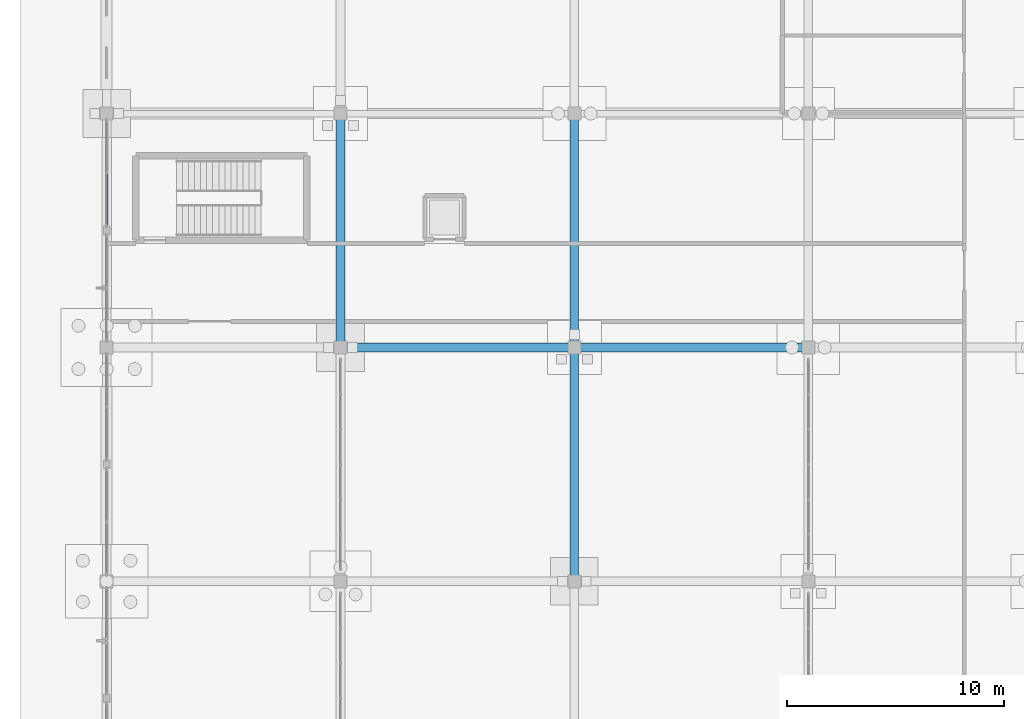
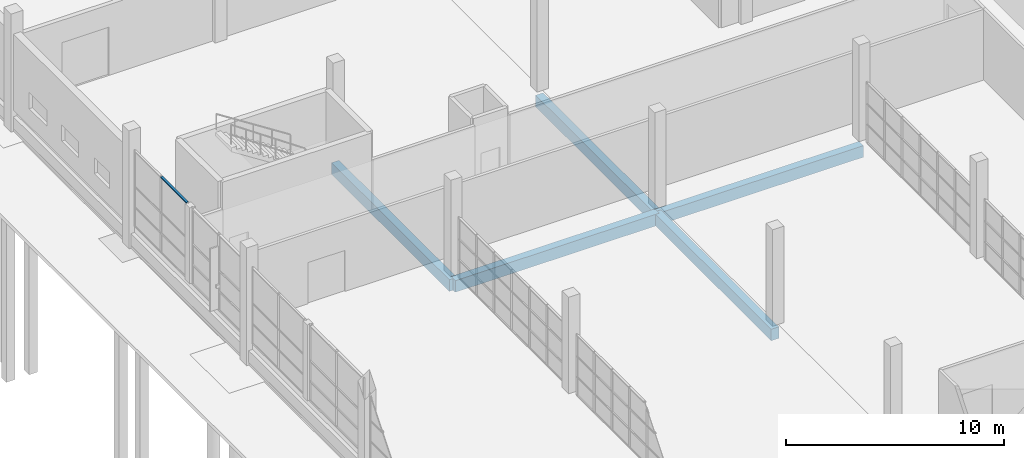
# One storey, part 42 of 138: 5 beams, 1 member, 1 element without a shape of its own.
"""IFC4 building model written with IfcOpenShell, lengths in metres."""

from ifc_helpers import new_model, si_unit, direction, frame, origin, origin_2d, place, context, subcontext, project, spatial, rectangle, extrude, material, material_profile, profile_set, type_object, element, aggregate, save


model = new_model("IFC4")

# Units and contexts
model_context = context("Model", 3, precision=1e-05, world=origin(), true_north=direction((0.0, 1.0)))
body_context = subcontext(model_context, "Body", "Model", "MODEL_VIEW")
ifc_project = project(units=[si_unit("LENGTHUNIT", "METRE"), si_unit("AREAUNIT", "SQUARE_METRE"), si_unit("VOLUMEUNIT", "CUBIC_METRE"), si_unit("PLANEANGLEUNIT", "RADIAN"), si_unit("MASSUNIT", "GRAM", prefix="KILO")], contexts=[model_context])

# Site, building, storey
site_placement = place(None, origin())
site = spatial("IfcSite", under=ifc_project, at=site_placement, CompositionType="ELEMENT")
building_placement = place(site_placement, origin())
building = spatial("IfcBuilding", under=site, at=building_placement, Name="Zwinboog Wholesale Market", CompositionType="ELEMENT")
storey_placement = place(building_placement, origin())
storey = spatial("IfcBuildingStorey", under=building, at=storey_placement, Name="L00", CompositionType="ELEMENT", Elevation=0.0)

# Beams
ifc_material_1 = material(Name="Precast concrete C45/55", Category="concrete")
ifc_material_profile_1 = material_profile(ifc_material_1, rectangle(XDim=0.39990234375, YDim=0.64990234375, at=origin_2d()), Name="PC 400x650")
ifc_profile_set_1 = profile_set([ifc_material_profile_1], Name="Precast concrete C45/55")
beam_type = type_object("IfcBeamType", Name="BT-05", PredefinedType="BEAM", material=ifc_profile_set_1)
beam_1_placement = place(storey_placement, frame((10.800048828125, 86.39990234375, -0.705078125), z_axis=(1.0, 0.0, 0.0), x_axis=(0.0, 1.0, 0.0)))
element("IfcBeam", 1, at=beam_1_placement, inside=storey, type_object=beam_type, Name="BG-05 (BMG-L00-0108-0864-0116)", PredefinedType="BEAM", context=body_context, shape_type="SweptSolid", body=[
    extrude(rectangle(XDim=0.39990234375, YDim=0.64990234375, at=origin_2d()), origin(), (0.0, 0.0, 1.0), 10.800048828125),
])
beam_2_placement = place(storey_placement, frame((21.60009765625, 86.39990234375, -0.705078125), z_axis=(1.0, 0.0, 0.0), x_axis=(0.0, 1.0, 0.0)))
element("IfcBeam", 2, at=beam_2_placement, inside=storey, type_object=beam_type, Name="BG-05 (BMG-L00-0216-0864-0117)", PredefinedType="BEAM", context=body_context, shape_type="SweptSolid", body=[
    extrude(rectangle(XDim=0.39990234375, YDim=0.64990234375, at=origin_2d()), origin(), (0.0, 0.0, 1.0), 10.7998046875),
])
beam_3_placement = place(storey_placement, frame((10.800048828125, 86.39990234375, -0.705078125), z_axis=(0.0, 1.0, 0.0), x_axis=(-1.0, 0.0, 0.0)))
element("IfcBeam", 3, at=beam_3_placement, inside=storey, type_object=beam_type, Name="BG-05 (BMG-L00-0108-0864-0231)", PredefinedType="BEAM", context=body_context, shape_type="SweptSolid", body=[
    extrude(rectangle(XDim=0.39990234375, YDim=0.64990234375, at=origin_2d()), origin(), (0.0, 0.0, 1.0), 10.800048828125),
])
beam_4_placement = place(storey_placement, frame((21.60009765625, 75.60009765625, -0.705078125), z_axis=(0.0, 1.0, 0.0), x_axis=(-1.0, 0.0, 0.0)))
element("IfcBeam", 4, at=beam_4_placement, inside=storey, type_object=beam_type, Name="BG-05 (BMG-L00-0216-0756-0242)", PredefinedType="BEAM", context=body_context, shape_type="SweptSolid", body=[
    extrude(rectangle(XDim=0.39990234375, YDim=0.64990234375, at=origin_2d()), origin(), (0.0, 0.0, 1.0), 10.7998046875),
])
beam_5_placement = place(storey_placement, frame((21.60009765625, 86.39990234375, -0.705078125), z_axis=(0.0, 1.0, 0.0), x_axis=(-1.0, 0.0, 0.0)))
element("IfcBeam", 5, at=beam_5_placement, inside=storey, type_object=beam_type, Name="BG-05 (BMG-L00-0216-0864-0243)", PredefinedType="BEAM", context=body_context, shape_type="SweptSolid", body=[
    extrude(rectangle(XDim=0.39990234375, YDim=0.64990234375, at=origin_2d()), origin(), (0.0, 0.0, 1.0), 10.800048828125),
])

# Curtain wall, member
ifc_material_2 = material(Name="Aluminium thermally broken curtain wall", Category="aluminium")
curtain_wall_type = type_object("IfcCurtainWallType", Name="CWT-GAL-16", PredefinedType="USERDEFINED", material=ifc_material_2)
curtain_wall_placement = place(storey_placement, origin())
curtain_wall = element("IfcCurtainWall", 6, at=curtain_wall_placement, inside=storey, type_object=curtain_wall_type, Name="CW-04 (CW-L00-016)", ObjectType="UNITIZED_CURTAIN_WALL", PredefinedType="USERDEFINED")
ifc_material_3 = material(Name="Aluminium EN AW-6060", Category="aluminium")
ifc_material_profile_2 = material_profile(ifc_material_3, rectangle(XDim=0.110107421875, YDim=0.06005859375, at=origin_2d()), Name="AL 60x110")
ifc_profile_set_2 = profile_set([ifc_material_profile_2], Name="Aluminium EN AW-6060")
member_type = type_object("IfcMemberType", Name="CWT-60x110", PredefinedType="USERDEFINED", material=ifc_profile_set_2)
member_placement = place(storey_placement, frame((0.0, 92.06005859375, 4.219970703125), z_axis=(0.0, 1.0, 0.0), x_axis=(-1.0, 0.0, 0.0)))
member = element("IfcMember", 7, at=member_placement, type_object=member_type, Name="CW-04 transom 1.4", ObjectType="TRANSOM", PredefinedType="USERDEFINED", context=body_context, shape_type="SweptSolid", body=[
    extrude(rectangle(XDim=0.110107421875, YDim=0.06005859375, at=origin_2d()), origin(), (0.0, 0.0, 1.0), 2.362548828125),
])
aggregate(curtain_wall, [member])

save(model, "model.ifc")
